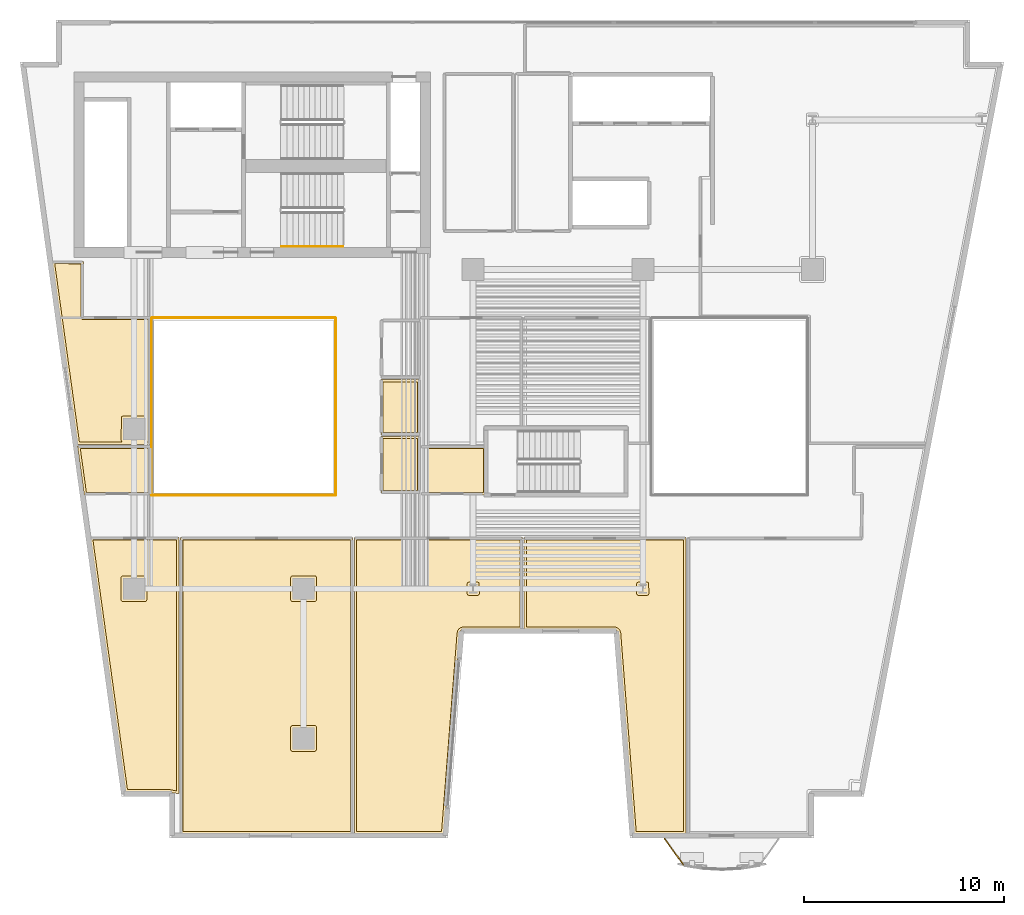
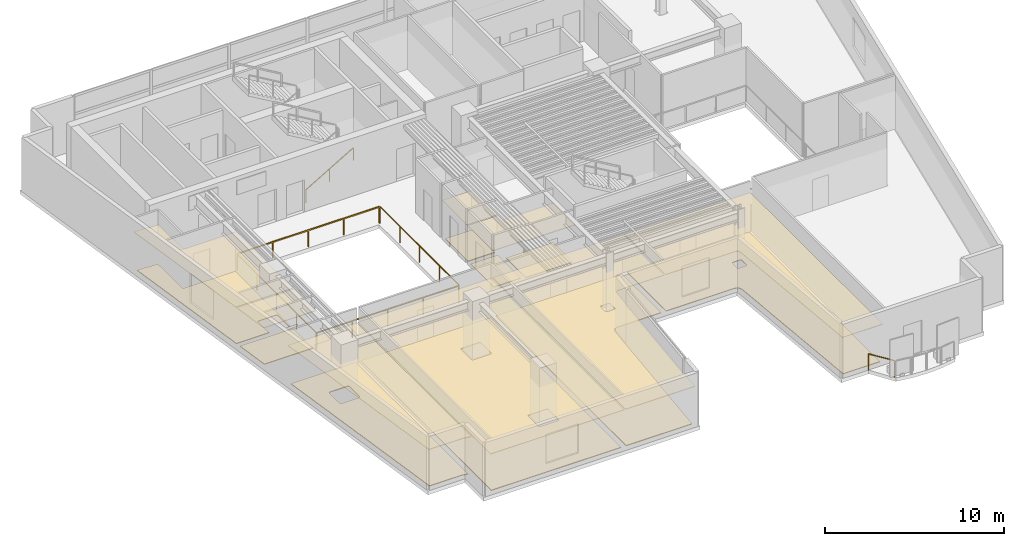
# One storey, part 9 of 12: 18 coverings, 6 railings.
"""IFC4 building model written with IfcOpenShell, lengths in metres."""

import ifcopenshell
import ifcopenshell.guid

model = None  # the IFC model being written
_history = None  # IfcOwnerHistory: only IFC2X3 demands one
_inside = {}  # id of a spatial element -> (the spatial element, [elements in it])
_under = {}  # id of a project, library or spatial element -> (it, [spatial elements below it])
_declared = {}  # id of a project -> (the project, [libraries it declares])
_typed = {}  # id of a type object -> (the type object, [elements of that type])
_made_of = {}  # id of a material, layer set ... -> (it, [elements and type objects made of it])


def new_model(schema):
    """Start an empty IFC model of exactly this schema.

    Asked for "IFC4X3", IfcOpenShell would pick the latest addendum, in which some entities
    have other attributes; the version numbers below select the first issue.
    IFC2X3 requires an IfcOwnerHistory on every rooted entity: one is made here for all.
    """
    global model, _history
    if schema == "IFC4X3":
        model = ifcopenshell.file(schema_version=(4, 3, 0, 0))
    else:
        model = ifcopenshell.file(schema=schema)
    _inside.clear()
    _under.clear()
    _declared.clear()
    _typed.clear()
    _made_of.clear()
    _history = None
    if model.schema == "IFC2X3":
        org = make("IfcOrganization", Name="unknown")
        user = make(
            "IfcPersonAndOrganization",
            ThePerson=make("IfcPerson", FamilyName="unknown"),
            TheOrganization=org,
        )
        app = make(
            "IfcApplication",
            ApplicationDeveloper=org,
            Version="unknown",
            ApplicationFullName="unknown",
            ApplicationIdentifier="unknown",
        )
        _history = make(
            "IfcOwnerHistory",
            OwningUser=user,
            OwningApplication=app,
            ChangeAction="ADDED",
            CreationDate=0,
        )
    return model


def make(cls, **values):
    """One entity of the class cls with the attributes given. An attribute that is None is left unset."""
    return model.create_entity(
        cls, **{name: value for name, value in values.items() if value is not None}
    )


def rooted(cls, **values):
    """An entity with a GlobalId (a new one), such as an element, a storey or a relation."""
    return make(cls, GlobalId=ifcopenshell.guid.new(), OwnerHistory=_history, **values)


def si_unit(unit_type, name, prefix=None):
    """IfcSIUnit, for example si_unit("LENGTHUNIT", "METRE", prefix="MILLI")."""
    return make("IfcSIUnit", UnitType=unit_type, Prefix=prefix, Name=name)


def assignment(units):
    """IfcUnitAssignment: the units of a project."""
    return None if units is None else make("IfcUnitAssignment", Units=units)


def point(xyz):
    """IfcCartesianPoint."""
    return None if xyz is None else make("IfcCartesianPoint", Coordinates=xyz)


def direction(xyz):
    """IfcDirection."""
    return None if xyz is None else make("IfcDirection", DirectionRatios=xyz)


def frame(location, z_axis=None, x_axis=None):
    """IfcAxis2Placement3D, a coordinate frame: its origin and axes. An axis left out is left unset."""
    return make(
        "IfcAxis2Placement3D",
        Location=point(location),
        Axis=direction(z_axis),
        RefDirection=direction(x_axis),
    )


def frame_2d(location, x_axis=None):
    """IfcAxis2Placement2D, a coordinate frame in the plane: its origin and x axis."""
    return make(
        "IfcAxis2Placement2D", Location=point(location), RefDirection=direction(x_axis)
    )


def origin():
    """The frame at (0, 0, 0) with its axes left unset."""
    return frame((0.0, 0.0, 0.0))


def origin_2d():
    """The frame at (0, 0) in the plane with its x axis left unset."""
    return frame_2d((0.0, 0.0))


def place(relative_to, where):
    """IfcLocalPlacement: puts the frame where relative to a parent placement (None: the world)."""
    return make(
        "IfcLocalPlacement", PlacementRelTo=relative_to, RelativePlacement=where
    )


def context(
    kind, dimensions, precision=None, world=None, true_north=None, identifier=None
):
    """IfcGeometricRepresentationContext, for example the 3D "Model" context."""
    return make(
        "IfcGeometricRepresentationContext",
        ContextIdentifier=identifier,
        ContextType=kind,
        CoordinateSpaceDimension=dimensions,
        Precision=precision,
        WorldCoordinateSystem=world,
        TrueNorth=true_north,
    )


def subcontext(parent, identifier, kind, view, scale=None):
    """IfcGeometricRepresentationSubContext, for example "Body" below "Model"."""
    return make(
        "IfcGeometricRepresentationSubContext",
        ContextIdentifier=identifier,
        ContextType=kind,
        ParentContext=parent,
        TargetScale=scale,
        TargetView=view,
    )


def project(units=None, contexts=None):
    """IfcProject with its units and contexts."""
    return rooted(
        "IfcProject",
        Name="project",
        RepresentationContexts=contexts,
        UnitsInContext=assignment(units),
    )


def spatial(cls, under=None, at=None, **own):
    """A site, building, storey or space (cls), placed at a placement, below another one or the project."""
    s = rooted(cls, ObjectPlacement=at, **own)
    if under is not None:
        _under.setdefault(under.id(), (under, []))[1].append(s)
    return s


def polyline(points):
    """IfcPolyline through the points."""
    return make("IfcPolyline", Points=[point(p) for p in points])


def profile(cls, at=None, kind="AREA", **sizes):
    """A parametric profile (cls). Its sizes go by their IFC names, for example OverallWidth=200.0."""
    return make(cls, ProfileType=kind, Position=at, **sizes)


def rectangle(**sizes):
    """IfcRectangleProfileDef."""
    return profile("IfcRectangleProfileDef", **sizes)


def outline(outer, holes=None, kind="AREA"):
    """IfcArbitraryClosedProfileDef: a profile drawn as a closed curve; with holes, ...WithVoids."""
    if holes is None:
        return make("IfcArbitraryClosedProfileDef", ProfileType=kind, OuterCurve=outer)
    return make(
        "IfcArbitraryProfileDefWithVoids",
        ProfileType=kind,
        OuterCurve=outer,
        InnerCurves=holes,
    )


def extrude(swept, where, along, depth):
    """IfcExtrudedAreaSolid: the profile swept, set in the frame where, extruded along a direction by depth."""
    return make(
        "IfcExtrudedAreaSolid",
        SweptArea=swept,
        Position=where,
        ExtrudedDirection=direction(along),
        Depth=depth,
    )


def shape(context_of_items, identifier, shape_type, items):
    """IfcShapeRepresentation: the items that make up one representation, for example the "Body"."""
    return make(
        "IfcShapeRepresentation",
        ContextOfItems=context_of_items,
        RepresentationIdentifier=identifier,
        RepresentationType=shape_type,
        Items=items,
    )


def material(Name=None, Category=None):
    """IfcMaterial."""
    return make("IfcMaterial", Name=Name, Category=Category)


def layer(
    of_material, thickness, ventilated=None, Name=None, Category=None, Priority=None
):
    """IfcMaterialLayer: one layer of a wall or slab, of a material (None: an air gap)."""
    return make(
        "IfcMaterialLayer",
        Material=of_material,
        LayerThickness=thickness,
        IsVentilated=ventilated,
        Name=Name,
        Category=Category,
        Priority=Priority,
    )


def layer_set(layers, Name=None):
    """IfcMaterialLayerSet."""
    return make("IfcMaterialLayerSet", MaterialLayers=layers, LayerSetName=Name)


def made_of(thing, what):
    """Note that an element or type object is made of a material, layer set ...; save() writes the relation."""
    if what is not None:
        _made_of.setdefault(what.id(), (what, []))[1].append(thing)
    return thing


def type_object(cls, material=None, **own):
    """A type object (cls), such as IfcWallType, which elements share."""
    return made_of(rooted(cls, **own), material)


def element(
    cls,
    number,
    at=None,
    inside=None,
    cuts=None,
    type_object=None,
    material=None,
    context=None,
    identifier="Body",
    shape_type=None,
    held_by="IfcProductDefinitionShape",
    body=None,
    shapes=None,
    **own,
):
    """One element of the class cls, such as IfcWall. Its Tag is "e" and its number.

    at: its placement. inside: the storey or other place that contains it. cuts: it is an
    opening in that element (IfcRelVoidsElement). A single representation is given by context,
    identifier, shape_type and body (its items); several are given by shapes. held_by: the class
    of the entity that holds the representations. save() writes the other relations.
    """
    e = rooted(cls, Tag="e%d" % number, ObjectPlacement=at, **own)
    if body is not None:
        shapes = [shape(context, identifier, shape_type, body)]
    if shapes is not None:
        e.Representation = make(held_by, Representations=shapes)
    if inside is not None:
        _inside.setdefault(inside.id(), (inside, []))[1].append(e)
    if cuts is not None:
        rooted(
            "IfcRelVoidsElement", RelatingBuildingElement=cuts, RelatedOpeningElement=e
        )
    if type_object is not None:
        _typed.setdefault(type_object.id(), (type_object, []))[1].append(e)
    return made_of(e, material)


def aggregate(whole, parts):
    """IfcRelAggregates: a whole, such as a stair, and the parts it consists of."""
    return rooted("IfcRelAggregates", RelatingObject=whole, RelatedObjects=parts)


def save(model, path):
    """Write the relations noted so far, then the file.

    IfcRelAggregates (storeys below a building ...), IfcRelContainedInSpatialStructure (elements
    in a storey), IfcRelDefinesByType, IfcRelAssociatesMaterial and IfcRelDeclares: one each for
    every whole, place, type object, material and project.
    """
    for whole, parts in _under.values():
        aggregate(whole, parts)
    for where, things in _inside.values():
        rooted(
            "IfcRelContainedInSpatialStructure",
            RelatedElements=things,
            RelatingStructure=where,
        )
    for kind, things in _typed.values():
        rooted("IfcRelDefinesByType", RelatedObjects=things, RelatingType=kind)
    for what, things in _made_of.values():
        rooted("IfcRelAssociatesMaterial", RelatedObjects=things, RelatingMaterial=what)
    for by, libraries in _declared.values():
        rooted("IfcRelDeclares", RelatingContext=by, RelatedDefinitions=libraries)
    model.write(path)


model = new_model("IFC4")

# Units and contexts
model_context = context("Model", 3, precision=1e-05, world=origin(), true_north=direction((0.0, 1.0)))
body_context = subcontext(model_context, "Body", "Model", "MODEL_VIEW")
ifc_project = project(units=[si_unit("LENGTHUNIT", "METRE"), si_unit("AREAUNIT", "SQUARE_METRE"), si_unit("VOLUMEUNIT", "CUBIC_METRE"), si_unit("PLANEANGLEUNIT", "RADIAN"), si_unit("MASSUNIT", "GRAM", prefix="KILO")], contexts=[model_context])

# Site, building, storey
site_placement = place(None, origin())
site = spatial("IfcSite", under=ifc_project, at=site_placement, CompositionType="ELEMENT")
building_placement = place(site_placement, origin())
building = spatial("IfcBuilding", under=site, at=building_placement, Name="Caeloran Harvest Quay", CompositionType="ELEMENT")
storey_placement = place(building_placement, frame((0.0, 0.0, 150.89990234375)))
storey = spatial("IfcBuildingStorey", under=building, at=storey_placement, Name="L35", CompositionType="ELEMENT", Elevation=150.89990234375)

# Coverings
ifc_material_1 = material(Name="Perforated Mineral-Fibre Acoustic Ceiling Tile", Category="ceiling")
ifc_layer_1 = layer(ifc_material_1, 0.0400390625, Name="Perforated Mineral-Fibre Acoustic Ceiling Tile")
ifc_layer_set_1 = layer_set([ifc_layer_1], Name="Perforated Mineral-Fibre Acoustic Ceiling Tile")
covering_type_1 = type_object("IfcCoveringType", Name="COV-CEILING-ACOUSTIC", PredefinedType="CEILING", material=ifc_layer_set_1)
covering_1_placement = place(storey_placement, frame((0.0, 0.0, 2.60009765625)))
element("IfcCovering", 1, at=covering_1_placement, inside=storey, type_object=covering_type_1, Name="L35 Female Washroom WC Acoustic Ceiling", PredefinedType="CEILING", context=body_context, shape_type="SweptSolid", body=[
    extrude(outline(polyline([(22.840087890625, 22.7099609375), (20.8701171875, 22.7099609375), (20.8701171875, 25.489990234375), (22.840087890625, 25.489990234375), (22.840087890625, 22.7099609375)])), origin(), (0.0, 0.0, 1.0), 0.0400390625),
])
covering_2_placement = place(storey_placement, frame((0.0, 0.0, 2.60009765625)))
element("IfcCovering", 2, at=covering_2_placement, inside=storey, type_object=covering_type_1, Name="L35 Accessible Unisex Washroom WC Acoustic Ceiling", PredefinedType="CEILING", context=body_context, shape_type="SweptSolid", body=[
    extrude(outline(polyline([(22.840087890625, 19.81005859375), (20.8701171875, 19.81005859375), (20.8701171875, 22.639892578125), (22.840087890625, 22.639892578125), (22.840087890625, 19.81005859375)])), origin(), (0.0, 0.0, 1.0), 0.0400390625),
])
covering_3_placement = place(storey_placement, frame((0.0, 0.0, 2.60009765625)))
element("IfcCovering", 3, at=covering_3_placement, inside=storey, type_object=covering_type_1, Name="Supply-Chain Digital Trading Floor Office Acoustic Ceiling", PredefinedType="CEILING", context=body_context, shape_type="SweptSolid", body=[
    extrude(outline(polyline([(19.4599609375, 2.719970703125), (10.840087890625, 2.719970703125), (10.840087890625, 17.56005859375), (19.4599609375, 17.56005859375), (19.4599609375, 2.719970703125)])), origin(), (0.0, 0.0, 1.0), 0.0400390625),
])
covering_4_placement = place(storey_placement, frame((0.0, 0.0, 2.60009765625)))
element("IfcCovering", 4, at=covering_4_placement, inside=storey, type_object=covering_type_1, Name="Climate Risk Modelling Office Acoustic Ceiling", PredefinedType="CEILING", context=body_context, shape_type="SweptSolid", body=[
    extrude(outline(polyline([(24.986572265625, 12.965576171875), (24.925048828125, 12.943359375), (24.8583984375, 12.887451171875), (24.810546875, 12.76611328125), (24.026611328125, 2.719970703125), (19.5400390625, 2.719970703125), (19.5400390625, 17.56005859375), (27.9599609375, 17.56005859375), (27.9599609375, 12.969970703125), (24.986572265625, 12.965576171875)])), origin(), (0.0, 0.0, 1.0), 0.0400390625),
])
covering_5_placement = place(storey_placement, frame((0.0, 0.0, 2.60009765625)))
element("IfcCovering", 5, at=covering_5_placement, inside=storey, type_object=covering_type_1, Name="Quantitative Analytics Office Acoustic Ceiling", PredefinedType="CEILING", context=body_context, shape_type="SweptSolid", body=[
    extrude(outline(polyline([(10.333740234375, 4.810546875), (8.0712890625, 4.820068359375), (6.309326171875, 17.56005859375), (10.760009765625, 17.56005859375), (10.760009765625, 4.729248046875), (10.390380859375, 4.783935546875), (10.333740234375, 4.810546875)])), origin(), (0.0, 0.0, 1.0), 0.0400390625),
])
covering_6_placement = place(storey_placement, frame((0.0, 0.0, 2.60009765625)))
element("IfcCovering", 6, at=covering_6_placement, inside=storey, type_object=covering_type_1, Name="Video-Conference Boardroom Acoustic Ceiling", PredefinedType="CEILING", context=body_context, shape_type="SweptSolid", body=[
    extrude(outline(polyline([(32.771484375, 12.788818359375), (32.739501953125, 12.86962890625), (32.696044921875, 12.918701171875), (32.61962890625, 12.960205078125), (32.553955078125, 12.969970703125), (28.0400390625, 12.969970703125), (28.0400390625, 17.56005859375), (36.159912109375, 17.56005859375), (36.159912109375, 2.719970703125), (33.55859375, 2.719970703125), (32.771484375, 12.788818359375)])), origin(), (0.0, 0.0, 1.0), 0.0400390625),
])
covering_7_placement = place(storey_placement, frame((0.0, 0.0, 2.60009765625)))
element("IfcCovering", 7, at=covering_7_placement, inside=storey, type_object=covering_type_1, Name="Executive Briefing Conference Room Acoustic Ceiling", PredefinedType="CEILING", context=body_context, shape_type="SweptSolid", body=[
    extrude(outline(polyline([(26.139892578125, 22.159912109375), (26.139892578125, 19.7099609375), (22.8701171875, 19.7099609375), (22.8701171875, 22.159912109375), (26.139892578125, 22.159912109375)])), origin(), (0.0, 0.0, 1.0), 0.0400390625),
])
covering_8_placement = place(storey_placement, frame((0.0, 0.0, 2.60009765625)))
element("IfcCovering", 8, at=covering_8_placement, inside=storey, type_object=covering_type_1, Name="Breakout Dining Kitchen Acoustic Ceiling", PredefinedType="CEILING", context=body_context, shape_type="SweptSolid", body=[
    extrude(outline(polyline([(5.67333984375, 22.159912109375), (9.360107421875, 22.159912109375), (9.360107421875, 19.7099609375), (6.01220703125, 19.7099609375), (5.67333984375, 22.159912109375)])), origin(), (0.0, 0.0, 1.0), 0.0400390625),
])
covering_9_placement = place(storey_placement, frame((0.0, 0.0, 2.60009765625)))
element("IfcCovering", 9, at=covering_9_placement, inside=storey, type_object=covering_type_1, Name="Climate Risk Modelling Office 10 Acoustic Ceiling", PredefinedType="CEILING", context=body_context, shape_type="SweptSolid", body=[
    extrude(outline(polyline([(5.9599609375, 31.389892578125), (5.9599609375, 28.610107421875), (9.360107421875, 28.610107421875), (9.360107421875, 22.239990234375), (5.662109375, 22.239990234375), (4.391357421875, 31.429931640625), (5.214599609375, 31.429931640625), (5.260009765625, 31.408447265625), (5.260009765625, 31.389892578125), (5.9599609375, 31.389892578125)])), origin(), (0.0, 0.0, 1.0), 0.0400390625),
])
ifc_material_2 = material(Name="Calcium-Sulphate Raised Access Floor and Terrazzo Finish", Category="flooring")
ifc_layer_2 = layer(ifc_material_2, 0.050048828125, Name="Calcium-Sulphate Raised Access Floor and Terrazzo Finish")
ifc_layer_set_2 = layer_set([ifc_layer_2], Name="Calcium-Sulphate Raised Access Floor and Terrazzo Finish")
covering_type_2 = type_object("IfcCoveringType", Name="COV-FLOOR-RAISED", PredefinedType="FLOORING", material=ifc_layer_set_2)
covering_10_placement = place(storey_placement, origin())
element("IfcCovering", 10, at=covering_10_placement, inside=storey, type_object=covering_type_2, Name="L35 Female Washroom WC Raised Finish Flooring", PredefinedType="FLOORING", context=body_context, shape_type="SweptSolid", body=[
    extrude(outline(polyline([(22.719970703125, 22.830078125), (20.989990234375, 22.830078125), (20.989990234375, 25.3701171875), (22.719970703125, 25.3701171875), (22.719970703125, 22.830078125)])), origin(), (0.0, 0.0, 1.0), 0.050048828125),
])
covering_11_placement = place(storey_placement, origin())
element("IfcCovering", 11, at=covering_11_placement, inside=storey, type_object=covering_type_2, Name="L35 Accessible Unisex Washroom WC Raised Finish Flooring", PredefinedType="FLOORING", context=body_context, shape_type="SweptSolid", body=[
    extrude(outline(polyline([(22.719970703125, 19.929931640625), (20.989990234375, 19.929931640625), (20.989990234375, 22.52001953125), (22.719970703125, 22.52001953125), (22.719970703125, 19.929931640625)])), origin(), (0.0, 0.0, 1.0), 0.050048828125),
])
covering_12_placement = place(storey_placement, origin())
element("IfcCovering", 12, at=covering_12_placement, inside=storey, type_object=covering_type_2, Name="Supply-Chain Digital Trading Floor Office Raised Finish Flooring", PredefinedType="FLOORING", context=body_context, shape_type="SweptSolid", body=[
    extrude(outline(polyline([(10.9599609375, 17.43994140625), (19.340087890625, 17.43994140625), (19.340087890625, 2.840087890625), (10.9599609375, 2.840087890625), (10.9599609375, 17.43994140625)]), holes=[polyline([(16.43505859375, 8.14501953125), (16.37841796875, 8.12158203125), (16.35498046875, 8.06494140625), (16.35498046875, 6.93505859375), (16.37841796875, 6.87841796875), (16.43505859375, 6.85498046875), (17.56494140625, 6.85498046875), (17.62158203125, 6.87841796875), (17.64501953125, 6.93505859375), (17.64501953125, 8.06494140625), (17.62158203125, 8.12158203125), (17.56494140625, 8.14501953125), (16.43505859375, 8.14501953125)]), polyline([(16.43505859375, 15.64501953125), (16.37841796875, 15.62158203125), (16.35498046875, 15.56494140625), (16.35498046875, 14.43505859375), (16.37841796875, 14.37841796875), (16.43505859375, 14.35498046875), (17.56494140625, 14.35498046875), (17.62158203125, 14.37841796875), (17.64501953125, 14.43505859375), (17.64501953125, 15.56494140625), (17.62158203125, 15.62158203125), (17.56494140625, 15.64501953125), (16.43505859375, 15.64501953125)])]), origin(), (0.0, 0.0, 1.0), 0.050048828125),
])
covering_13_placement = place(storey_placement, origin())
element("IfcCovering", 13, at=covering_13_placement, inside=storey, type_object=covering_type_2, Name="Climate Risk Modelling Office Raised Finish Flooring", PredefinedType="FLOORING", context=body_context, shape_type="SweptSolid", body=[
    extrude(outline(polyline([(25.000244140625, 13.088623046875), (24.89453125, 13.061767578125), (24.789794921875, 12.990478515625), (24.72607421875, 12.902099609375), (24.69140625, 12.780517578125), (23.91552734375, 2.840087890625), (19.659912109375, 2.840087890625), (19.659912109375, 17.43994140625), (27.840087890625, 17.43994140625), (27.840087890625, 13.090087890625), (25.000244140625, 13.088623046875)]), holes=[polyline([(25.806884765625, 14.748046875), (25.788818359375, 15.302734375), (25.73486328125, 15.33154296875), (25.27294921875, 15.33203125), (25.21630859375, 15.30859375), (25.193115234375, 15.251953125), (25.193115234375, 14.748046875), (25.21630859375, 14.69140625), (25.27294921875, 14.66796875), (25.72705078125, 14.66796875), (25.78369140625, 14.69140625), (25.806884765625, 14.748046875)])]), origin(), (0.0, 0.0, 1.0), 0.050048828125),
])
covering_14_placement = place(storey_placement, origin())
element("IfcCovering", 14, at=covering_14_placement, inside=storey, type_object=covering_type_2, Name="Quantitative Analytics Office Raised Finish Flooring", PredefinedType="FLOORING", context=body_context, shape_type="SweptSolid", body=[
    extrude(outline(polyline([(10.639892578125, 4.868408203125), (10.27001953125, 4.93994140625), (8.17578125, 4.93994140625), (6.447021484375, 17.43994140625), (10.639892578125, 17.43994140625), (10.639892578125, 4.868408203125)]), holes=[polyline([(7.93505859375, 15.64501953125), (7.87841796875, 15.62158203125), (7.85498046875, 15.56494140625), (7.85498046875, 14.43505859375), (7.87841796875, 14.37841796875), (7.93505859375, 14.35498046875), (9.06494140625, 14.35498046875), (9.12158203125, 14.37841796875), (9.14501953125, 14.43505859375), (9.14501953125, 15.56494140625), (9.12158203125, 15.62158203125), (9.06494140625, 15.64501953125), (7.93505859375, 15.64501953125)])]), origin(), (0.0, 0.0, 1.0), 0.050048828125),
])
covering_15_placement = place(storey_placement, origin())
element("IfcCovering", 15, at=covering_15_placement, inside=storey, type_object=covering_type_2, Name="Video-Conference Boardroom Raised Finish Flooring", PredefinedType="FLOORING", context=body_context, shape_type="SweptSolid", body=[
    extrude(outline(polyline([(32.89404296875, 12.776611328125), (32.85888671875, 12.902099609375), (32.795166015625, 12.990478515625), (32.6904296875, 13.061767578125), (32.584716796875, 13.088623046875), (28.159912109375, 13.090087890625), (28.159912109375, 17.43994140625), (36.0400390625, 17.43994140625), (36.0400390625, 2.840087890625), (33.66943359375, 2.840087890625), (32.89404296875, 12.776611328125)]), holes=[polyline([(34.306884765625, 14.748046875), (34.288818359375, 15.302734375), (34.23486328125, 15.33154296875), (33.77294921875, 15.33203125), (33.71630859375, 15.30859375), (33.693115234375, 15.251953125), (33.693115234375, 14.748046875), (33.71630859375, 14.69140625), (33.77294921875, 14.66796875), (34.22705078125, 14.66796875), (34.28369140625, 14.69140625), (34.306884765625, 14.748046875)])]), origin(), (0.0, 0.0, 1.0), 0.050048828125),
])
covering_16_placement = place(storey_placement, origin())
element("IfcCovering", 16, at=covering_16_placement, inside=storey, type_object=covering_type_2, Name="Executive Briefing Conference Room Raised Finish Flooring", PredefinedType="FLOORING", context=body_context, shape_type="SweptSolid", body=[
    extrude(outline(polyline([(26.02001953125, 22.0400390625), (26.02001953125, 19.830078125), (22.989990234375, 19.830078125), (22.989990234375, 22.0400390625), (26.02001953125, 22.0400390625)])), origin(), (0.0, 0.0, 1.0), 0.050048828125),
])
covering_17_placement = place(storey_placement, origin())
element("IfcCovering", 17, at=covering_17_placement, inside=storey, type_object=covering_type_2, Name="Breakout Dining Kitchen Raised Finish Flooring", PredefinedType="FLOORING", context=body_context, shape_type="SweptSolid", body=[
    extrude(outline(polyline([(5.81103515625, 22.0400390625), (9.239990234375, 22.0400390625), (9.239990234375, 19.830078125), (6.11669921875, 19.830078125), (5.81103515625, 22.0400390625)])), origin(), (0.0, 0.0, 1.0), 0.050048828125),
])
covering_18_placement = place(storey_placement, origin())
element("IfcCovering", 18, at=covering_18_placement, inside=storey, type_object=covering_type_2, Name="Climate Risk Modelling Office 10 Raised Finish Flooring", PredefinedType="FLOORING", context=body_context, shape_type="SweptSolid", body=[
    extrude(outline(polyline([(5.165283203125, 31.31005859375), (5.2431640625, 31.270263671875), (5.840087890625, 31.27001953125), (5.840087890625, 28.60009765625), (5.8857421875, 28.5107421875), (5.949951171875, 28.489990234375), (9.239990234375, 28.489990234375), (9.239990234375, 22.360107421875), (9.092529296875, 22.360107421875), (9.14501953125, 22.43505859375), (9.14501953125, 23.56494140625), (9.12158203125, 23.62158203125), (9.06494140625, 23.64501953125), (7.93505859375, 23.64501953125), (7.873291015625, 23.61572265625), (7.85498046875, 22.43505859375), (7.907470703125, 22.360107421875), (5.7666015625, 22.360107421875), (4.529052734375, 31.31005859375), (5.165283203125, 31.31005859375)])), origin(), (0.0, 0.0, 1.0), 0.050048828125),
])

# Railings
ifc_material_3 = material(Name="Powder-Coated Steel Post and Laminated Glass Guardrail", Category="steel")
ifc_layer_3 = layer(ifc_material_3, 0.06005859375, Name="Powder-Coated Steel Post and Laminated Glass Guardrail")
ifc_layer_set_3 = layer_set([ifc_layer_3], Name="Powder-Coated Steel Post and Laminated Glass Guardrail")
railing_type_1 = type_object("IfcRailingType", Name="GUARD-ATRIUM-1150", PredefinedType="GUARDRAIL", material=ifc_layer_set_3)
railing_1_placement = place(storey_placement, frame((9.412109375, 19.679931640625, 0.0)))
element("IfcRailing", 19, at=railing_1_placement, inside=storey, type_object=railing_type_1, Name="L35 Skylit Atrium Void Perimeter Guardrail Seg 1", PredefinedType="GUARDRAIL", context=body_context, shape_type="SweptSolid", body=[
    extrude(rectangle(XDim=0.048095703125, YDim=0.048095703125, at=origin_2d()), frame((0.0, 0.0, 1.1259765625), z_axis=(1.0, 0.0, 0.0), x_axis=(0.0, 1.0, 0.0)), (0.0, 0.0, 1.0), 9.17578125),
    extrude(rectangle(XDim=0.0419921875, YDim=0.0419921875, at=origin_2d()), origin(), (0.0, 0.0, 1.0), 1.101806640625),
    extrude(rectangle(XDim=0.0419921875, YDim=0.0419921875, at=origin_2d()), frame((2.2939453125, 0.0, 0.0)), (0.0, 0.0, 1.0), 1.101806640625),
    extrude(rectangle(XDim=0.0419921875, YDim=0.0419921875, at=origin_2d()), frame((4.587890625, 0.0, 0.0)), (0.0, 0.0, 1.0), 1.101806640625),
    extrude(rectangle(XDim=0.0419921875, YDim=0.0419921875, at=origin_2d()), frame((6.8818359375, 0.0, 0.0)), (0.0, 0.0, 1.0), 1.101806640625),
    extrude(rectangle(XDim=0.0419921875, YDim=0.0419921875, at=origin_2d()), frame((9.17578125, 0.0, 0.0)), (0.0, 0.0, 1.0), 1.101806640625),
])
railing_2_placement = place(storey_placement, frame((18.6201171875, 19.7119140625, 0.0)))
element("IfcRailing", 20, at=railing_2_placement, inside=storey, type_object=railing_type_1, Name="L35 Skylit Atrium Void Perimeter Guardrail Seg 2", PredefinedType="GUARDRAIL", context=body_context, shape_type="SweptSolid", body=[
    extrude(rectangle(XDim=0.048095703125, YDim=0.048095703125, at=origin_2d()), frame((0.0, 0.0, 1.1259765625), z_axis=(0.0, 1.0, 0.0), x_axis=(-1.0, 0.0, 0.0)), (0.0, 0.0, 1.0), 8.826171875),
    extrude(rectangle(XDim=0.0419921875, YDim=0.0419921875, at=origin_2d()), origin(), (0.0, 0.0, 1.0), 1.101806640625),
    extrude(rectangle(XDim=0.0419921875, YDim=0.0419921875, at=origin_2d()), frame((0.0, 2.20654296875, 0.0)), (0.0, 0.0, 1.0), 1.101806640625),
    extrude(rectangle(XDim=0.0419921875, YDim=0.0419921875, at=origin_2d()), frame((0.0, 4.4130859375, 0.0)), (0.0, 0.0, 1.0), 1.101806640625),
    extrude(rectangle(XDim=0.0419921875, YDim=0.0419921875, at=origin_2d()), frame((0.0, 6.61962890625, 0.0)), (0.0, 0.0, 1.0), 1.101806640625),
    extrude(rectangle(XDim=0.0419921875, YDim=0.0419921875, at=origin_2d()), frame((0.0, 8.826171875, 0.0)), (0.0, 0.0, 1.0), 1.101806640625),
])
railing_3_placement = place(storey_placement, frame((18.587890625, 28.570068359375, 0.0)))
element("IfcRailing", 21, at=railing_3_placement, inside=storey, type_object=railing_type_1, Name="L35 Skylit Atrium Void Perimeter Guardrail Seg 3", PredefinedType="GUARDRAIL", context=body_context, shape_type="SweptSolid", body=[
    extrude(rectangle(XDim=0.048095703125, YDim=0.048095703125, at=origin_2d()), frame((0.0, 0.0, 1.1259765625), z_axis=(-1.0, 0.0, 0.0), x_axis=(0.0, -1.0, 0.0)), (0.0, 0.0, 1.0), 9.17578125),
    extrude(rectangle(XDim=0.0419921875, YDim=0.0419921875, at=origin_2d()), origin(), (0.0, 0.0, 1.0), 1.101806640625),
    extrude(rectangle(XDim=0.0419921875, YDim=0.0419921875, at=origin_2d()), frame((-2.2939453125, 0.0, 0.0)), (0.0, 0.0, 1.0), 1.101806640625),
    extrude(rectangle(XDim=0.0419921875, YDim=0.0419921875, at=origin_2d()), frame((-4.587890625, 0.0, 0.0)), (0.0, 0.0, 1.0), 1.101806640625),
    extrude(rectangle(XDim=0.0419921875, YDim=0.0419921875, at=origin_2d()), frame((-6.8818359375, 0.0, 0.0)), (0.0, 0.0, 1.0), 1.101806640625),
    extrude(rectangle(XDim=0.0419921875, YDim=0.0419921875, at=origin_2d()), frame((-9.17578125, 0.0, 0.0)), (0.0, 0.0, 1.0), 1.101806640625),
])
railing_4_placement = place(storey_placement, frame((9.3798828125, 28.5380859375, 0.0)))
element("IfcRailing", 22, at=railing_4_placement, inside=storey, type_object=railing_type_1, Name="L35 Skylit Atrium Void Perimeter Guardrail Seg 4", PredefinedType="GUARDRAIL", context=body_context, shape_type="SweptSolid", body=[
    extrude(rectangle(XDim=0.048095703125, YDim=0.048095703125, at=origin_2d()), frame((0.0, 0.0, 1.1259765625), z_axis=(0.0, -1.0, 0.0), x_axis=(1.0, 0.0, 0.0)), (0.0, 0.0, 1.0), 8.826171875),
    extrude(rectangle(XDim=0.0419921875, YDim=0.0419921875, at=origin_2d()), origin(), (0.0, 0.0, 1.0), 1.101806640625),
    extrude(rectangle(XDim=0.0419921875, YDim=0.0419921875, at=origin_2d()), frame((0.0, -2.20654296875, 0.0)), (0.0, 0.0, 1.0), 1.101806640625),
    extrude(rectangle(XDim=0.0419921875, YDim=0.0419921875, at=origin_2d()), frame((0.0, -4.4130859375, 0.0)), (0.0, 0.0, 1.0), 1.101806640625),
    extrude(rectangle(XDim=0.0419921875, YDim=0.0419921875, at=origin_2d()), frame((0.0, -6.61962890625, 0.0)), (0.0, 0.0, 1.0), 1.101806640625),
    extrude(rectangle(XDim=0.0419921875, YDim=0.0419921875, at=origin_2d()), frame((0.0, -8.826171875, 0.0)), (0.0, 0.0, 1.0), 1.101806640625),
])
ifc_material_4 = material(Name="Laminated Safety Glass and Stainless Steel 316", Category="steel")
ifc_layer_4 = layer(ifc_material_4, 0.06005859375, Name="Laminated Safety Glass and Stainless Steel 316")
ifc_layer_set_4 = layer_set([ifc_layer_4], Name="Laminated Safety Glass and Stainless Steel 316")
railing_type_2 = type_object("IfcRailingType", Name="GUARD-BALUSTRADE-1150", PredefinedType="BALUSTRADE", material=ifc_layer_set_4)
railing_5_placement = place(storey_placement, frame((36.026611328125, 1.176513671875, 0.0)))
element("IfcRailing", 23, at=railing_5_placement, inside=storey, type_object=railing_type_2, Name="L35 Planted Balcony Perimeter Balustrade Guard Seg 6", PredefinedType="BALUSTRADE", context=body_context, shape_type="SweptSolid", body=[
    extrude(rectangle(XDim=0.048095703125, YDim=0.048095703125, at=origin_2d()), frame((0.0, 0.0, 1.1259765625), z_axis=(-0.583896070669, 0.811828417005, 0.0), x_axis=(-0.811828417005, -0.583896070669, 0.0)), (0.0, 0.0, 1.0), 1.605712890625),
    extrude(rectangle(XDim=0.0419921875, YDim=0.0419921875, at=origin_2d()), origin(), (0.0, 0.0, 1.0), 1.101806640625),
    extrude(rectangle(XDim=0.0419921875, YDim=0.0419921875, at=origin_2d()), frame((-0.9375, 1.303466796875, 0.0)), (0.0, 0.0, 1.0), 1.101806640625),
])
ifc_material_5 = material(Name="Brushed Stainless Steel Grade 304", Category="steel")
ifc_layer_5 = layer(ifc_material_5, 0.050048828125, Name="Brushed Stainless Steel Grade 304")
ifc_layer_set_5 = layer_set([ifc_layer_5], Name="Brushed Stainless Steel Grade 304")
railing_type_3 = type_object("IfcRailingType", Name="STAIR-HANDRAIL-900", PredefinedType="HANDRAIL", material=ifc_layer_set_5)
railing_6_placement = place(storey_placement, frame((15.89990234375, 32.14990234375, 0.164794921875)))
element("IfcRailing", 24, at=railing_6_placement, inside=storey, type_object=railing_type_3, Name="L35 ST-C2 stair handrail 1", PredefinedType="HANDRAIL", context=body_context, shape_type="SweptSolid", body=[
    extrude(rectangle(XDim=0.048095703125, YDim=0.048095703125, at=origin_2d()), frame((0.0, 0.0, 0.8759765625), z_axis=(0.862118610829, 0.0, 0.506706523406), x_axis=(0.0, 1.0, 0.0)), (0.0, 0.0, 1.0), 3.57275390625),
    extrude(rectangle(XDim=0.0419921875, YDim=0.0419921875, at=origin_2d()), origin(), (0.0, 0.0, 1.0), 0.851806640625),
    extrude(rectangle(XDim=0.0419921875, YDim=0.0419921875, at=origin_2d()), frame((1.5400390625, 0.0, 0.9052734375)), (0.0, 0.0, 1.0), 0.851806640625),
    extrude(rectangle(XDim=0.0419921875, YDim=0.0419921875, at=origin_2d()), frame((3.080078125, 0.0, 1.810302734375)), (0.0, 0.0, 1.0), 0.851806640625),
])

save(model, "model.ifc")
